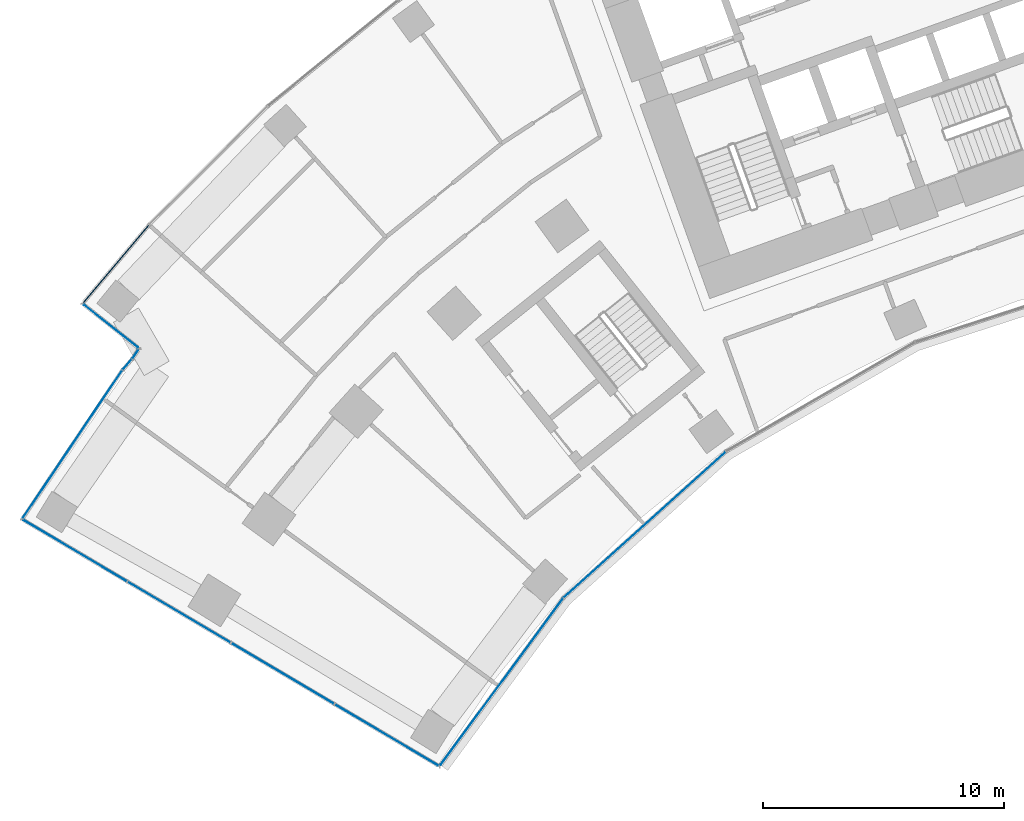
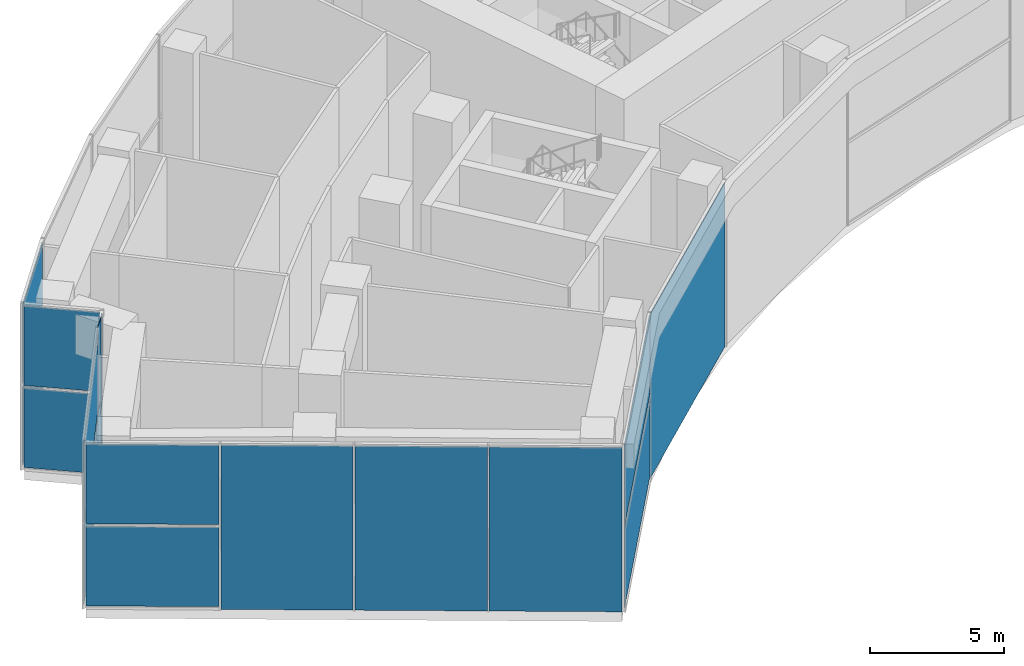
# One storey, part 17 of 33: 18 plates, 7 elements without a shape of their own.
"""IFC4 building model written with IfcOpenShell, lengths in metres."""

from ifc_helpers import new_model, si_unit, direction, frame, origin, origin_2d, place, context, subcontext, project, spatial, rectangle, extrude, material, layer, layer_set, type_object, element, aggregate, save


model = new_model("IFC4")

# Units and contexts
model_context = context("Model", 3, precision=1e-05, world=origin(), true_north=direction((0.0, 1.0)))
body_context = subcontext(model_context, "Body", "Model", "MODEL_VIEW")
ifc_project = project(units=[si_unit("LENGTHUNIT", "METRE"), si_unit("AREAUNIT", "SQUARE_METRE"), si_unit("VOLUMEUNIT", "CUBIC_METRE"), si_unit("PLANEANGLEUNIT", "RADIAN"), si_unit("MASSUNIT", "GRAM", prefix="KILO")], contexts=[model_context])

# Site, building, storey
site_placement = place(None, origin())
site = spatial("IfcSite", under=ifc_project, at=site_placement, CompositionType="ELEMENT")
building_placement = place(site_placement, origin())
building = spatial("IfcBuilding", under=site, at=building_placement, Name="Stone Belt Terrace Tower", CompositionType="ELEMENT")
storey_placement = place(building_placement, frame((0.0, 0.0, 79.39990234375)))
storey = spatial("IfcBuildingStorey", under=building, at=storey_placement, Name="L19", CompositionType="ELEMENT", Elevation=79.39990234375)

# Curtain wall, plates
ifc_material_1 = material(Name="Aluminium 6063-T6 anodised frame", Category="aluminium")
ifc_layer_1 = layer(ifc_material_1, 0.14990234375)
ifc_layer_set_1 = layer_set([ifc_layer_1], Name="CW-A unitised convex-face curtain wall")
curtain_wall_type_1 = type_object("IfcCurtainWallType", Name="CW-A unitised convex-face curtain wall", PredefinedType="NOTDEFINED", material=ifc_layer_set_1)
curtain_wall_1_placement = place(storey_placement, origin())
curtain_wall_1 = element("IfcCurtainWall", 1, at=curtain_wall_1_placement, inside=storey, type_object=curtain_wall_type_1, Name="CW-A convex face L19", PredefinedType="NOTDEFINED")
ifc_material_2 = material(Name="Terracotta coloured glazed ceramic", Category="masonry")
ifc_layer_2 = layer(ifc_material_2, 0.031982421875)
ifc_layer_set_2 = layer_set([ifc_layer_2], Name="CW-A ceramic louvre panel 32")
plate_type_1 = type_object("IfcPlateType", Name="CW-A ceramic louvre panel 32", PredefinedType="CURTAIN_PANEL", material=ifc_layer_set_2)
plate_1_placement = place(storey_placement, frame((-50.84423828125, 42.92626953125, 0.14013671875), z_axis=(0.0, 0.0, 1.0), x_axis=(-0.645291395384, -0.763936525533, 0.0)))
plate_1 = element("IfcPlate", 2, at=plate_1_placement, type_object=plate_type_1, Name="CW-A louvre panel 18.1", PredefinedType="CURTAIN_PANEL", context=body_context, shape_type="SweptSolid", body=[
    extrude(rectangle(XDim=4.17919921875, YDim=0.031982421875, at=origin_2d()), origin(), (0.0, 0.0, 1.0), 3.590087890625),
])
plate_2_placement = place(storey_placement, frame((-50.84423828125, 42.92626953125, 3.8701171875), z_axis=(0.0, 0.0, 1.0), x_axis=(-0.645291395384, -0.763936525533, 0.0)))
plate_2 = element("IfcPlate", 3, at=plate_2_placement, type_object=plate_type_1, Name="CW-A louvre panel 18.2", PredefinedType="CURTAIN_PANEL", context=body_context, shape_type="SweptSolid", body=[
    extrude(rectangle(XDim=4.17919921875, YDim=0.031982421875, at=origin_2d()), origin(), (0.0, 0.0, 1.0), 3.590087890625),
])
aggregate(curtain_wall_1, [plate_1, plate_2])

ifc_layer_3 = layer(ifc_material_1, 0.14990234375)
ifc_layer_set_3 = layer_set([ifc_layer_3], Name="CW-B unitised concave-face curtain wall")
curtain_wall_type_2 = type_object("IfcCurtainWallType", Name="CW-B unitised concave-face curtain wall", PredefinedType="NOTDEFINED", material=ifc_layer_set_3)
curtain_wall_2_placement = place(storey_placement, origin())
curtain_wall_2 = element("IfcCurtainWall", 4, at=curtain_wall_2_placement, inside=storey, type_object=curtain_wall_type_2, Name="CW-B concave face L19", PredefinedType="NOTDEFINED")
ifc_layer_4 = layer(ifc_material_2, 0.030029296875)
ifc_layer_set_4 = layer_set([ifc_layer_4], Name="CW-B ceramic louvre panel 30")
plate_type_2 = type_object("IfcPlateType", Name="CW-B ceramic louvre panel 30", PredefinedType="CURTAIN_PANEL", material=ifc_layer_set_4)
plate_3_placement = place(storey_placement, frame((-34.831787109375, 25.57177734375, 0.1201171875), z_axis=(0.0, 0.0, 1.0), x_axis=(0.592159017675, 0.805821132626, 0.0)))
plate_3 = element("IfcPlate", 5, at=plate_3_placement, type_object=plate_type_2, Name="CW-B louvre panel 1.1", PredefinedType="CURTAIN_PANEL", context=body_context, shape_type="SweptSolid", body=[
    extrude(rectangle(XDim=8.583984375, YDim=0.030029296875, at=origin_2d()), origin(), (0.0, 0.0, 1.0), 3.6201171875),
])
plate_4_placement = place(storey_placement, frame((-34.831787109375, 25.57177734375, 3.860107421875), z_axis=(0.0, 0.0, 1.0), x_axis=(0.592159017675, 0.805821132626, 0.0)))
plate_4 = element("IfcPlate", 6, at=plate_4_placement, type_object=plate_type_2, Name="CW-B louvre panel 1.2", PredefinedType="CURTAIN_PANEL", context=body_context, shape_type="SweptSolid", body=[
    extrude(rectangle(XDim=8.583984375, YDim=0.030029296875, at=origin_2d()), origin(), (0.0, 0.0, 1.0), 3.6201171875),
])
plate_5_placement = place(storey_placement, frame((-28.897705078125, 32.09375, 0.0), z_axis=(0.0, 0.0, 1.0), x_axis=(0.743144825477, 0.669130606359, 0.0)))
plate_5 = element("IfcPlate", 7, at=plate_5_placement, type_object=plate_type_2, Name="CW-B louvre panel 2.1", PredefinedType="CURTAIN_PANEL", context=body_context, shape_type="SweptSolid", body=[
    extrude(rectangle(XDim=9.01318359375, YDim=0.030029296875, at=origin_2d()), origin(), (0.0, 0.0, 1.0), 7.47998046875),
])
aggregate(curtain_wall_2, [plate_3, plate_4, plate_5])

ifc_layer_5 = layer(ifc_material_1, 0.14990234375)
ifc_layer_set_5 = layer_set([ifc_layer_5], Name="CW-C stick curtain wall, horn ends and notches")
curtain_wall_type_3 = type_object("IfcCurtainWallType", Name="CW-C stick curtain wall, horn ends and notches", PredefinedType="NOTDEFINED", material=ifc_layer_set_5)
curtain_wall_3_placement = place(storey_placement, origin())
curtain_wall_3 = element("IfcCurtainWall", 8, at=curtain_wall_3_placement, inside=storey, type_object=curtain_wall_type_3, Name="CW-C notch face L19", PredefinedType="NOTDEFINED")
ifc_layer_6 = layer(ifc_material_2, 0.028076171875)
ifc_layer_set_6 = layer_set([ifc_layer_6], Name="CW-C ceramic louvre panel 28")
plate_type_3 = type_object("IfcPlateType", Name="CW-C ceramic louvre panel 28", PredefinedType="CURTAIN_PANEL", material=ifc_layer_set_6)
plate_6_placement = place(storey_placement, frame((-51.061279296875, 40.3388671875, 0.1201171875), z_axis=(0.0, 0.0, 1.0), x_axis=(0.783963828584, -0.620806504051, 0.0)))
plate_6 = element("IfcPlate", 9, at=plate_6_placement, type_object=plate_type_3, Name="CW-C louvre panel 1.1", PredefinedType="CURTAIN_PANEL", context=body_context, shape_type="SweptSolid", body=[
    extrude(rectangle(XDim=2.859375, YDim=0.028076171875, at=origin_2d()), origin(), (0.0, 0.0, 1.0), 3.6201171875),
])
plate_7_placement = place(storey_placement, frame((-51.061279296875, 40.3388671875, 3.860107421875), z_axis=(0.0, 0.0, 1.0), x_axis=(0.783963828584, -0.620806504051, 0.0)))
plate_7 = element("IfcPlate", 10, at=plate_7_placement, type_object=plate_type_3, Name="CW-C louvre panel 1.2", PredefinedType="CURTAIN_PANEL", context=body_context, shape_type="SweptSolid", body=[
    extrude(rectangle(XDim=2.859375, YDim=0.028076171875, at=origin_2d()), origin(), (0.0, 0.0, 1.0), 3.6201171875),
])
aggregate(curtain_wall_3, [plate_6, plate_7])

curtain_wall_4_placement = place(storey_placement, origin())
curtain_wall_4 = element("IfcCurtainWall", 11, at=curtain_wall_4_placement, inside=storey, type_object=curtain_wall_type_3, Name="CW-C end face L19", PredefinedType="NOTDEFINED")
plate_8_placement = place(storey_placement, frame((-50.0439453125, 39.171875, 0.1201171875), z_axis=(0.0, 0.0, 1.0), x_axis=(-0.566375967567, -0.824146991357, 0.0)))
plate_8 = element("IfcPlate", 12, at=plate_8_placement, type_object=plate_type_3, Name="CW-C louvre panel 1.1", PredefinedType="CURTAIN_PANEL", context=body_context, shape_type="SweptSolid", body=[
    extrude(rectangle(XDim=0.421630859375, YDim=0.028076171875, at=origin_2d()), origin(), (0.0, 0.0, 1.0), 3.6201171875),
])
plate_9_placement = place(storey_placement, frame((-50.0439453125, 39.171875, 3.860107421875), z_axis=(0.0, 0.0, 1.0), x_axis=(-0.566375967567, -0.824146991357, 0.0)))
plate_9 = element("IfcPlate", 13, at=plate_9_placement, type_object=plate_type_3, Name="CW-C louvre panel 1.2", PredefinedType="CURTAIN_PANEL", context=body_context, shape_type="SweptSolid", body=[
    extrude(rectangle(XDim=0.421630859375, YDim=0.028076171875, at=origin_2d()), origin(), (0.0, 0.0, 1.0), 3.6201171875),
])
aggregate(curtain_wall_4, [plate_8, plate_9])

curtain_wall_5_placement = place(storey_placement, origin())
curtain_wall_5 = element("IfcCurtainWall", 14, at=curtain_wall_5_placement, inside=storey, type_object=curtain_wall_type_3, Name="CW-C end face L19", PredefinedType="NOTDEFINED")
plate_10_placement = place(storey_placement, frame((-50.38134765625, 38.742919921875, 0.1201171875), z_axis=(0.0, 0.0, 1.0), x_axis=(-0.658230250003, -0.752816669569, 0.0)))
plate_10 = element("IfcPlate", 15, at=plate_10_placement, type_object=plate_type_3, Name="CW-C louvre panel 1.1", PredefinedType="CURTAIN_PANEL", context=body_context, shape_type="SweptSolid", body=[
    extrude(rectangle(XDim=0.534912109375, YDim=0.028076171875, at=origin_2d()), origin(), (0.0, 0.0, 1.0), 3.6201171875),
])
plate_11_placement = place(storey_placement, frame((-50.38134765625, 38.742919921875, 3.85986328125), z_axis=(0.0, 0.0, 1.0), x_axis=(-0.658230250003, -0.752816669569, 0.0)))
plate_11 = element("IfcPlate", 16, at=plate_11_placement, type_object=plate_type_3, Name="CW-C louvre panel 1.2", PredefinedType="CURTAIN_PANEL", context=body_context, shape_type="SweptSolid", body=[
    extrude(rectangle(XDim=0.534912109375, YDim=0.028076171875, at=origin_2d()), origin(), (0.0, 0.0, 1.0), 3.739990234375),
])
aggregate(curtain_wall_5, [plate_10, plate_11])

curtain_wall_6_placement = place(storey_placement, origin())
curtain_wall_6 = element("IfcCurtainWall", 17, at=curtain_wall_6_placement, inside=storey, type_object=curtain_wall_type_3, Name="CW-C notch face L19", PredefinedType="NOTDEFINED")
plate_12_placement = place(storey_placement, frame((-52.65478515625, 35.434326171875, 0.1201171875), z_axis=(0.0, 0.0, 1.0), x_axis=(-0.558531620459, -0.829483230058, 0.0)))
plate_12 = element("IfcPlate", 18, at=plate_12_placement, type_object=plate_type_3, Name="CW-C louvre panel 1.1", PredefinedType="CURTAIN_PANEL", context=body_context, shape_type="SweptSolid", body=[
    extrude(rectangle(XDim=7.359375, YDim=0.028076171875, at=origin_2d()), origin(), (0.0, 0.0, 1.0), 3.6201171875),
])
plate_13_placement = place(storey_placement, frame((-52.65478515625, 35.434326171875, 3.860107421875), z_axis=(0.0, 0.0, 1.0), x_axis=(-0.558531620459, -0.829483230058, 0.0)))
plate_13 = element("IfcPlate", 19, at=plate_13_placement, type_object=plate_type_3, Name="CW-C louvre panel 1.2", PredefinedType="CURTAIN_PANEL", context=body_context, shape_type="SweptSolid", body=[
    extrude(rectangle(XDim=7.359375, YDim=0.028076171875, at=origin_2d()), origin(), (0.0, 0.0, 1.0), 3.6201171875),
])
aggregate(curtain_wall_6, [plate_12, plate_13])

curtain_wall_7_placement = place(storey_placement, origin())
curtain_wall_7 = element("IfcCurtainWall", 20, at=curtain_wall_7_placement, inside=storey, type_object=curtain_wall_type_3, Name="CW-C end face L19", PredefinedType="NOTDEFINED")
plate_14_placement = place(storey_placement, frame((-52.547119140625, 31.0146484375, 0.1201171875), z_axis=(0.0, 0.0, 1.0), x_axis=(0.860557728521, -0.509352918793, 0.0)))
plate_14 = element("IfcPlate", 21, at=plate_14_placement, type_object=plate_type_3, Name="CW-C louvre panel 1.1", PredefinedType="CURTAIN_PANEL", context=body_context, shape_type="SweptSolid", body=[
    extrude(rectangle(XDim=4.974365234375, YDim=0.028076171875, at=origin_2d()), origin(), (0.0, 0.0, 1.0), 3.6201171875),
])
plate_15_placement = place(storey_placement, frame((-52.547119140625, 31.0146484375, 3.860107421875), z_axis=(0.0, 0.0, 1.0), x_axis=(0.860557728521, -0.509352918793, 0.0)))
plate_15 = element("IfcPlate", 22, at=plate_15_placement, type_object=plate_type_3, Name="CW-C louvre panel 1.2", PredefinedType="CURTAIN_PANEL", context=body_context, shape_type="SweptSolid", body=[
    extrude(rectangle(XDim=4.974365234375, YDim=0.028076171875, at=origin_2d()), origin(), (0.0, 0.0, 1.0), 3.6201171875),
])
plate_16_placement = place(storey_placement, frame((-48.2294921875, 28.459228515625, 0.0), z_axis=(0.0, 0.0, 1.0), x_axis=(0.860557728521, -0.509352918793, 0.0)))
plate_16 = element("IfcPlate", 23, at=plate_16_placement, type_object=plate_type_3, Name="CW-C louvre panel 2.1", PredefinedType="CURTAIN_PANEL", context=body_context, shape_type="SweptSolid", body=[
    extrude(rectangle(XDim=4.93994140625, YDim=0.028076171875, at=origin_2d()), origin(), (0.0, 0.0, 1.0), 7.47998046875),
])
plate_17_placement = place(storey_placement, frame((-43.9267578125, 25.912353515625, 0.0), z_axis=(0.0, 0.0, 1.0), x_axis=(0.860557728521, -0.509352918793, 0.0)))
plate_17 = element("IfcPlate", 24, at=plate_17_placement, type_object=plate_type_3, Name="CW-C louvre panel 3.1", PredefinedType="CURTAIN_PANEL", context=body_context, shape_type="SweptSolid", body=[
    extrude(rectangle(XDim=4.93994140625, YDim=0.028076171875, at=origin_2d()), origin(), (0.0, 0.0, 1.0), 7.47998046875),
])
plate_18_placement = place(storey_placement, frame((-39.613037109375, 23.359130859375, 0.0), z_axis=(0.0, 0.0, 1.0), x_axis=(0.860557728521, -0.509352918793, 0.0)))
plate_18 = element("IfcPlate", 25, at=plate_18_placement, type_object=plate_type_3, Name="CW-C louvre panel 4.1", PredefinedType="CURTAIN_PANEL", context=body_context, shape_type="SweptSolid", body=[
    extrude(rectangle(XDim=4.96533203125, YDim=0.028076171875, at=origin_2d()), origin(), (0.0, 0.0, 1.0), 7.47998046875),
])
aggregate(curtain_wall_7, [plate_14, plate_15, plate_16, plate_17, plate_18])

save(model, "model.ifc")
